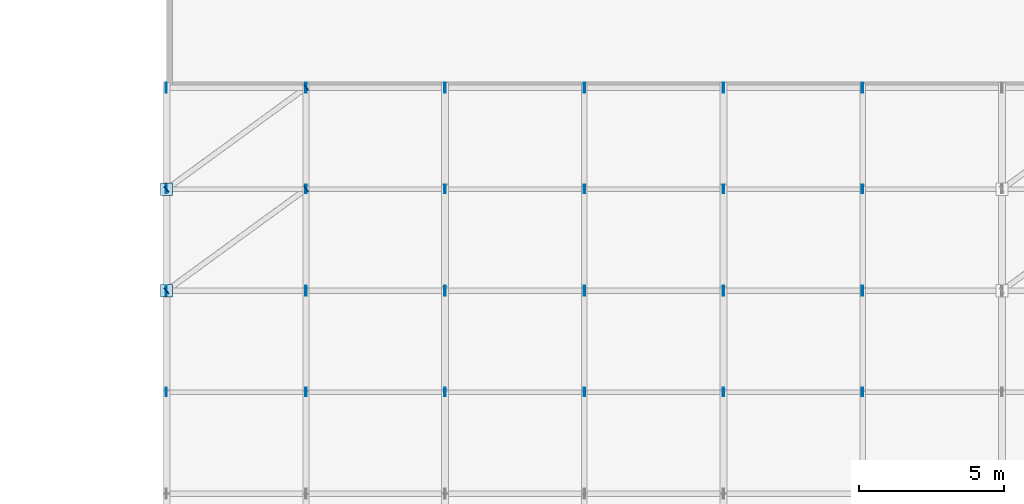
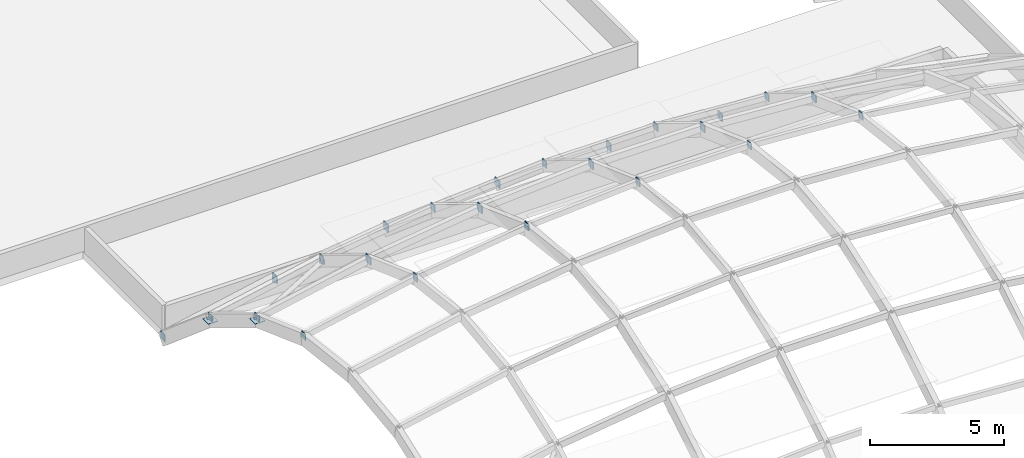
# One storey, part 91 of 128: 50 plates.
"""IFC4 building model written with IfcOpenShell, lengths in metres."""

from ifc_helpers import new_model, si_unit, direction, frame, origin, origin_2d, place, context, subcontext, project, spatial, rectangle, extrude, material, layer, layer_set, type_object, element, save


model = new_model("IFC4")

# Units and contexts
model_context = context("Model", 3, precision=1e-05, world=origin(), true_north=direction((0.0, 1.0)))
body_context = subcontext(model_context, "Body", "Model", "MODEL_VIEW")
ifc_project = project(units=[si_unit("LENGTHUNIT", "METRE"), si_unit("AREAUNIT", "SQUARE_METRE"), si_unit("VOLUMEUNIT", "CUBIC_METRE"), si_unit("PLANEANGLEUNIT", "RADIAN"), si_unit("MASSUNIT", "GRAM", prefix="KILO")], contexts=[model_context])

# Site, building, storey
site_placement = place(None, origin())
site = spatial("IfcSite", under=ifc_project, at=site_placement, CompositionType="ELEMENT")
building_placement = place(site_placement, origin())
building = spatial("IfcBuilding", under=site, at=building_placement, Name="Tarnwether General Hospital", CompositionType="ELEMENT")
storey_placement = place(building_placement, frame((0.0, 0.0, 14.39990234375)))
storey = spatial("IfcBuildingStorey", under=building, at=storey_placement, Name="L03", CompositionType="ELEMENT", Elevation=14.39990234375)

# Plates
ifc_material = material(Name="Steel Grade 350 (350 MPa)", Category="steel")
ifc_layer = layer(ifc_material, 0.02490234375)
ifc_layer_set = layer_set([ifc_layer], Name="Steel Grade 350 (350 MPa)")
plate_type = type_object("IfcPlateType", Name="PT-GUS2", PredefinedType="USERDEFINED", material=ifc_layer_set)
for number, where, z_axis, x_axis, name in (
    (1, (108.0, 68.60009765625, 5.087646484375), (0.0, 0.0, 1.0), (1.0, 0.0, 0.0), "Gridshell Star Gusset Node 050"),
    (2, (108.0, 72.10009765625, 2.962646484375), (0.0, 0.0, 1.0), (1.0, 0.0, 0.0), "Gridshell Star Gusset Node 051"),
):
    element("IfcPlate", number, at=place(storey_placement, frame(where, z_axis=z_axis, x_axis=x_axis)), inside=storey, type_object=plate_type, Name=name, ObjectType="GUSSET", PredefinedType="USERDEFINED", context=body_context, shape_type="SweptSolid", body=[
        extrude(rectangle(XDim=0.419921875, YDim=0.419921875, at=origin_2d()), origin(), (0.0, 0.0, 1.0), 0.02490234375),
    ])
for number, where, z_axis, x_axis, name in (
    (3, (107.98779296875, 65.10009765625, 6.362548828125), (0.0, 0.0, 1.0), (1.0, 0.0, 0.0), "Hollow Section Welded End Cap Plate 1313"),
    (4, (112.812255859375, 65.10009765625, 7.34716796875), (0.0, 0.0, 1.0), (1.0, 0.0, 0.0), "Hollow Section Welded End Cap Plate 1314"),
    (5, (112.78759765625, 65.10009765625, 7.343017578125), (0.0, 0.0, 1.0), (1.0, 0.0, 0.0), "Hollow Section Welded End Cap Plate 1315"),
    (6, (117.6123046875, 65.10009765625, 7.99951171875), (0.0, 0.0, 1.0), (1.0, 0.0, 0.0), "Hollow Section Welded End Cap Plate 1316"),
    (7, (117.58740234375, 65.10009765625, 7.9970703125), (0.0, 0.0, 1.0), (1.0, 0.0, 0.0), "Hollow Section Welded End Cap Plate 1317"),
    (8, (122.41259765625, 65.10009765625, 8.3251953125), (0.0, 0.0, 1.0), (1.0, 0.0, 0.0), "Hollow Section Welded End Cap Plate 1318"),
    (9, (122.387451171875, 65.10009765625, 8.32421875), (0.0, 0.0, 1.0), (1.0, 0.0, 0.0), "Hollow Section Welded End Cap Plate 1319"),
    (10, (127.21240234375, 65.10009765625, 8.32421875), (0.0, 0.0, 1.0), (1.0, 0.0, 0.0), "Hollow Section Welded End Cap Plate 1320"),
    (11, (127.1875, 65.10009765625, 8.3251953125), (0.0, 0.0, 1.0), (1.0, 0.0, 0.0), "Hollow Section Welded End Cap Plate 1321"),
    (12, (132.012451171875, 65.10009765625, 7.9970703125), (0.0, 0.0, 1.0), (1.0, 0.0, 0.0), "Hollow Section Welded End Cap Plate 1322"),
    (13, (131.987548828125, 65.10009765625, 7.99951171875), (0.0, 0.0, 1.0), (1.0, 0.0, 0.0), "Hollow Section Welded End Cap Plate 1323"),
):
    element("IfcPlate", number, at=place(storey_placement, frame(where, z_axis=z_axis, x_axis=x_axis)), inside=storey, type_object=plate_type, Name=name, ObjectType="GUSSET", PredefinedType="USERDEFINED", context=body_context, shape_type="SweptSolid", body=[
        extrude(rectangle(XDim=0.02490234375, YDim=0.2900390625, at=origin_2d()), origin(), (0.0, 0.0, 1.0), 0.2900390625),
    ])
for number, where, z_axis, x_axis, name in (
    (14, (107.98779296875, 68.60009765625, 5.03759765625), (0.0, 0.0, 1.0), (1.0, 0.0, 0.0), "Hollow Section Welded End Cap Plate 1327"),
    (15, (112.812255859375, 68.60009765625, 6.02197265625), (0.0, 0.0, 1.0), (1.0, 0.0, 0.0), "Hollow Section Welded End Cap Plate 1328"),
    (16, (112.78759765625, 68.60009765625, 6.01806640625), (0.0, 0.0, 1.0), (1.0, 0.0, 0.0), "Hollow Section Welded End Cap Plate 1329"),
    (17, (117.6123046875, 68.60009765625, 6.67431640625), (0.0, 0.0, 1.0), (1.0, 0.0, 0.0), "Hollow Section Welded End Cap Plate 1330"),
    (18, (117.58740234375, 68.60009765625, 6.671875), (0.0, 0.0, 1.0), (1.0, 0.0, 0.0), "Hollow Section Welded End Cap Plate 1331"),
    (19, (122.41259765625, 68.60009765625, 7.0), (0.0, 0.0, 1.0), (1.0, 0.0, 0.0), "Hollow Section Welded End Cap Plate 1332"),
    (20, (122.387451171875, 68.60009765625, 6.9990234375), (0.0, 0.0, 1.0), (1.0, 0.0, 0.0), "Hollow Section Welded End Cap Plate 1333"),
    (21, (127.21240234375, 68.60009765625, 6.9990234375), (0.0, 0.0, 1.0), (1.0, 0.0, 0.0), "Hollow Section Welded End Cap Plate 1334"),
    (22, (127.1875, 68.60009765625, 7.0), (0.0, 0.0, 1.0), (1.0, 0.0, 0.0), "Hollow Section Welded End Cap Plate 1335"),
    (23, (132.012451171875, 68.60009765625, 6.671875), (0.0, 0.0, 1.0), (1.0, 0.0, 0.0), "Hollow Section Welded End Cap Plate 1336"),
    (24, (131.987548828125, 68.60009765625, 6.67431640625), (0.0, 0.0, 1.0), (1.0, 0.0, 0.0), "Hollow Section Welded End Cap Plate 1337"),
):
    element("IfcPlate", number, at=place(storey_placement, frame(where, z_axis=z_axis, x_axis=x_axis)), inside=storey, type_object=plate_type, Name=name, ObjectType="GUSSET", PredefinedType="USERDEFINED", context=body_context, shape_type="SweptSolid", body=[
        extrude(rectangle(XDim=0.02490234375, YDim=0.340087890625, at=origin_2d()), origin(), (0.0, 0.0, 1.0), 0.340087890625),
    ])
for number, where, z_axis, x_axis, name in (
    (25, (107.98779296875, 72.10009765625, 2.962646484375), (0.0, 0.0, 1.0), (1.0, 0.0, 0.0), "Hollow Section Welded End Cap Plate 1341"),
    (26, (112.812255859375, 72.10009765625, 3.947265625), (0.0, 0.0, 1.0), (1.0, 0.0, 0.0), "Hollow Section Welded End Cap Plate 1342"),
    (27, (112.78759765625, 72.10009765625, 3.94287109375), (0.0, 0.0, 1.0), (1.0, 0.0, 0.0), "Hollow Section Welded End Cap Plate 1343"),
    (28, (117.6123046875, 72.10009765625, 4.599365234375), (0.0, 0.0, 1.0), (1.0, 0.0, 0.0), "Hollow Section Welded End Cap Plate 1344"),
    (29, (117.58740234375, 72.10009765625, 4.596923828125), (0.0, 0.0, 1.0), (1.0, 0.0, 0.0), "Hollow Section Welded End Cap Plate 1345"),
    (30, (122.41259765625, 72.10009765625, 4.925048828125), (0.0, 0.0, 1.0), (1.0, 0.0, 0.0), "Hollow Section Welded End Cap Plate 1346"),
    (31, (122.387451171875, 72.10009765625, 4.92431640625), (0.0, 0.0, 1.0), (1.0, 0.0, 0.0), "Hollow Section Welded End Cap Plate 1347"),
    (32, (127.21240234375, 72.10009765625, 4.92431640625), (0.0, 0.0, 1.0), (1.0, 0.0, 0.0), "Hollow Section Welded End Cap Plate 1348"),
    (33, (127.1875, 72.10009765625, 4.925048828125), (0.0, 0.0, 1.0), (1.0, 0.0, 0.0), "Hollow Section Welded End Cap Plate 1349"),
    (34, (132.012451171875, 72.10009765625, 4.596923828125), (0.0, 0.0, 1.0), (1.0, 0.0, 0.0), "Hollow Section Welded End Cap Plate 1350"),
    (35, (131.987548828125, 72.10009765625, 4.599365234375), (0.0, 0.0, 1.0), (1.0, 0.0, 0.0), "Hollow Section Welded End Cap Plate 1351"),
):
    element("IfcPlate", number, at=place(storey_placement, frame(where, z_axis=z_axis, x_axis=x_axis)), inside=storey, type_object=plate_type, Name=name, ObjectType="GUSSET", PredefinedType="USERDEFINED", context=body_context, shape_type="SweptSolid", body=[
        extrude(rectangle(XDim=0.02490234375, YDim=0.2900390625, at=origin_2d()), origin(), (0.0, 0.0, 1.0), 0.2900390625),
    ])
for number, where, z_axis, x_axis, name in (
    (36, (107.98779296875, 75.60009765625, -0.0625), (0.0, 0.0, 1.0), (1.0, 0.0, 0.0), "Hollow Section Welded End Cap Plate 1355"),
    (37, (112.812255859375, 75.60009765625, 0.92236328125), (0.0, 0.0, 1.0), (1.0, 0.0, 0.0), "Hollow Section Welded End Cap Plate 1356"),
    (38, (112.78759765625, 75.60009765625, 0.91796875), (0.0, 0.0, 1.0), (1.0, 0.0, 0.0), "Hollow Section Welded End Cap Plate 1357"),
    (39, (117.6123046875, 75.60009765625, 1.57421875), (0.0, 0.0, 1.0), (1.0, 0.0, 0.0), "Hollow Section Welded End Cap Plate 1358"),
    (40, (117.58740234375, 75.60009765625, 1.57177734375), (0.0, 0.0, 1.0), (1.0, 0.0, 0.0), "Hollow Section Welded End Cap Plate 1359"),
    (41, (122.41259765625, 75.60009765625, 1.89990234375), (0.0, 0.0, 1.0), (1.0, 0.0, 0.0), "Hollow Section Welded End Cap Plate 1360"),
    (42, (122.387451171875, 75.60009765625, 1.8994140625), (0.0, 0.0, 1.0), (1.0, 0.0, 0.0), "Hollow Section Welded End Cap Plate 1361"),
    (43, (127.21240234375, 75.60009765625, 1.8994140625), (0.0, 0.0, 1.0), (1.0, 0.0, 0.0), "Hollow Section Welded End Cap Plate 1362"),
    (44, (127.1875, 75.60009765625, 1.89990234375), (0.0, 0.0, 1.0), (1.0, 0.0, 0.0), "Hollow Section Welded End Cap Plate 1363"),
    (45, (132.012451171875, 75.60009765625, 1.57177734375), (0.0, 0.0, 1.0), (1.0, 0.0, 0.0), "Hollow Section Welded End Cap Plate 1364"),
    (46, (131.987548828125, 75.60009765625, 1.57421875), (0.0, 0.0, 1.0), (1.0, 0.0, 0.0), "Hollow Section Welded End Cap Plate 1365"),
):
    element("IfcPlate", number, at=place(storey_placement, frame(where, z_axis=z_axis, x_axis=x_axis)), inside=storey, type_object=plate_type, Name=name, ObjectType="GUSSET", PredefinedType="USERDEFINED", context=body_context, shape_type="SweptSolid", body=[
        extrude(rectangle(XDim=0.02490234375, YDim=0.340087890625, at=origin_2d()), origin(), (0.0, 0.0, 1.0), 0.340087890625),
    ])
for number, where, z_axis, x_axis, name in (
    (47, (107.989990234375, 68.5927734375, 4.985595703125), (0.0, 0.0, 1.0), (0.808010450239, 0.589168152827, 0.0), "Hollow Section Welded End Cap Plate 1373"),
    (48, (112.809814453125, 72.107177734375, 3.83544921875), (0.0, 0.0, 1.0), (0.808010450239, 0.589168152827, 0.0), "Hollow Section Welded End Cap Plate 1374"),
    (49, (107.990478515625, 72.093017578125, 2.862060546875), (0.0, 0.0, 1.0), (0.808010450239, 0.589168152827, 0.0), "Hollow Section Welded End Cap Plate 1375"),
    (50, (112.8095703125, 75.60693359375, 0.858642578125), (0.0, 0.0, 1.0), (0.808010450239, 0.589168152827, 0.0), "Hollow Section Welded End Cap Plate 1376"),
):
    element("IfcPlate", number, at=place(storey_placement, frame(where, z_axis=z_axis, x_axis=x_axis)), inside=storey, type_object=plate_type, Name=name, ObjectType="GUSSET", PredefinedType="USERDEFINED", context=body_context, shape_type="SweptSolid", body=[
        extrude(rectangle(XDim=0.02490234375, YDim=0.23388671875, at=origin_2d()), origin(), (0.0, 0.0, 1.0), 0.23388671875),
    ])

save(model, "model.ifc")
